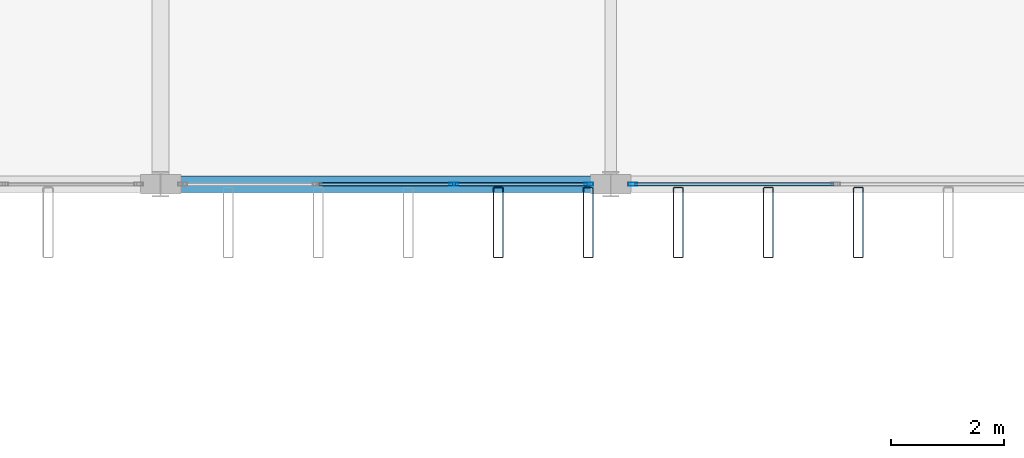
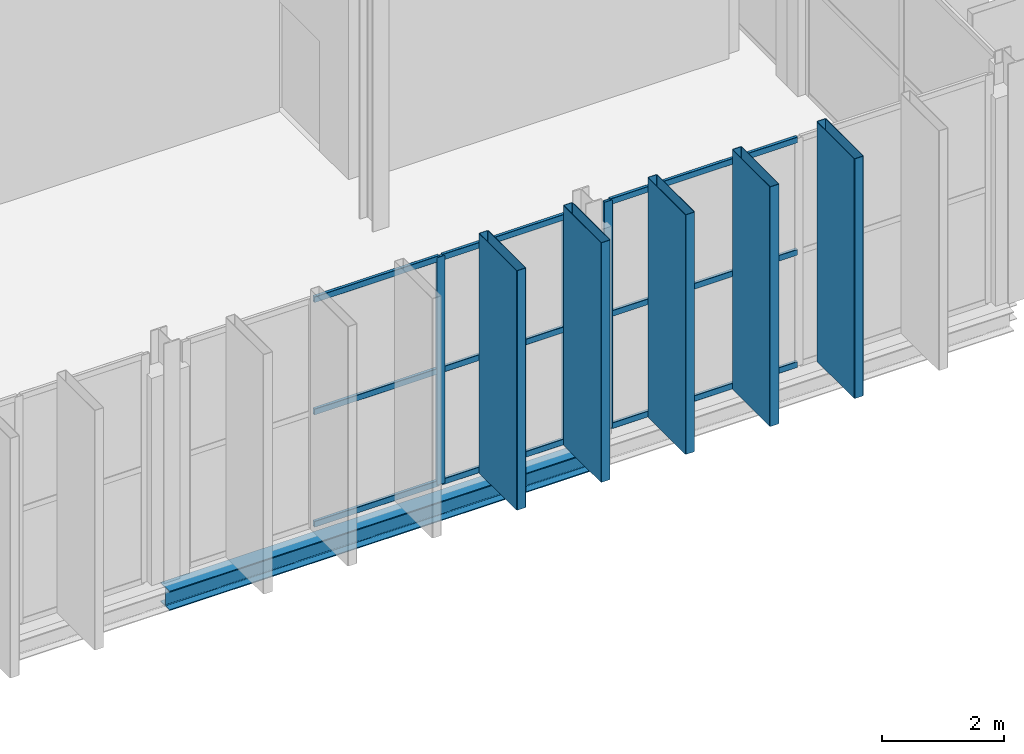
# One storey, part 29 of 120: 17 members, 1 beam, 2 elements without a shape of their own.
"""IFC4 building model written with IfcOpenShell, lengths in metres."""

from ifc_helpers import new_model, si_unit, direction, frame, origin, origin_2d, place, context, subcontext, project, spatial, hollow_rectangle, i_section, extrude, material, layer, layer_set, material_profile, profile_set, type_object, element, aggregate, save


model = new_model("IFC4")

# Units and contexts
model_context = context("Model", 3, precision=1e-05, world=origin(), true_north=direction((0.0, 1.0)))
body_context = subcontext(model_context, "Body", "Model", "MODEL_VIEW")
ifc_project = project(units=[si_unit("LENGTHUNIT", "METRE"), si_unit("AREAUNIT", "SQUARE_METRE"), si_unit("VOLUMEUNIT", "CUBIC_METRE"), si_unit("PLANEANGLEUNIT", "RADIAN"), si_unit("MASSUNIT", "GRAM", prefix="KILO")], contexts=[model_context])

# Site, building, storey
site_placement = place(None, origin())
site = spatial("IfcSite", under=ifc_project, at=site_placement, CompositionType="ELEMENT")
building_placement = place(site_placement, origin())
building = spatial("IfcBuilding", under=site, at=building_placement, Name="Vekula Escarpment Museum", CompositionType="ELEMENT")
storey_placement = place(building_placement, frame((0.0, 0.0, 13.199951171875)))
storey = spatial("IfcBuildingStorey", under=building, at=storey_placement, Name="L03", CompositionType="ELEMENT", Elevation=13.199951171875)

# Beam
ifc_material_1 = material(Name="Steel S355", Category="steel")
ifc_material_profile_1 = material_profile(ifc_material_1, i_section(OverallWidth=0.300048828125, OverallDepth=0.389892578125, WebThickness=0.010986328125, FlangeThickness=0.01904296875, FilletRadius=0.027099609375, at=origin_2d()), Name="HEA 400")
ifc_profile_set_1 = profile_set([ifc_material_profile_1], Name="Steel S355")
beam_type = type_object("IfcBeamType", Name="BM-SPAN-HEA400", PredefinedType="SPANDREL", material=ifc_profile_set_1)
beam_placement = place(storey_placement, frame((110.0, 45.60009765625, -0.445068359375), z_axis=(1.0, 0.0, 0.0), x_axis=(0.0, 1.0, 0.0)))
element("IfcBeam", 1, at=beam_placement, inside=storey, type_object=beam_type, Name="Beam X L03 1320", PredefinedType="SPANDREL", context=body_context, shape_type="SweptSolid", body=[
    extrude(i_section(OverallWidth=0.300048828125, OverallDepth=0.389892578125, WebThickness=0.010986328125, FlangeThickness=0.01904296875, FilletRadius=0.027099609375, at=origin_2d()), origin(), (0.0, 0.0, 1.0), 8.0),
])

# Curtain wall, members
ifc_material_2 = material(Name="Aluminium thermally broken framing", Category="aluminium")
ifc_layer_1 = layer(ifc_material_2, 0.139892578125)
ifc_layer_set_1 = layer_set([ifc_layer_1], Name="Aluminium thermally broken framing")
curtain_wall_type_1 = type_object("IfcCurtainWallType", Name="CW-SYS-06", PredefinedType="NOTDEFINED", material=ifc_layer_set_1)
curtain_wall_1_placement = place(storey_placement, origin())
curtain_wall_1 = element("IfcCurtainWall", 2, at=curtain_wall_1_placement, inside=storey, type_object=curtain_wall_type_1, Name="Curtain Wall CW-L03-106", PredefinedType="NOTDEFINED")
ifc_material_3 = material(Name="Aluminium anodized mullion", Category="aluminium")
ifc_material_profile_2 = material_profile(ifc_material_3, hollow_rectangle(XDim=0.06005859375, YDim=0.159912109375, WallThickness=0.00390625, InnerFilletRadius=0.00390625, OuterFilletRadius=0.008056640625, at=origin_2d()), Name="ALU 160x60x4")
ifc_profile_set_2 = profile_set([ifc_material_profile_2], Name="Aluminium anodized mullion")
member_type_1 = type_object("IfcMemberType", Name="CW-MUL-160", PredefinedType="MULLION", material=ifc_profile_set_2)
member_1_placement = place(storey_placement, frame((115.21337890625, 45.60009765625, 0.0), z_axis=(0.0, 0.0, 1.0), x_axis=(0.0, 1.0, 0.0)))
member_1 = element("IfcMember", 3, at=member_1_placement, type_object=member_type_1, Name="CW-06 mullion 3", PredefinedType="MULLION", context=body_context, shape_type="SweptSolid", body=[
    extrude(hollow_rectangle(XDim=0.06005859375, YDim=0.159912109375, WallThickness=0.00390625, InnerFilletRadius=0.00390625, OuterFilletRadius=0.008056640625, at=origin_2d()), origin(), (0.0, 0.0, 1.0), 4.56005859375),
])
member_2_placement = place(storey_placement, frame((117.610107421875, 45.60009765625, 0.0), z_axis=(0.0, 0.0, 1.0), x_axis=(0.0, 1.0, 0.0)))
member_2 = element("IfcMember", 4, at=member_2_placement, type_object=member_type_1, Name="CW-06 mullion 4", PredefinedType="MULLION", context=body_context, shape_type="SweptSolid", body=[
    extrude(hollow_rectangle(XDim=0.06005859375, YDim=0.159912109375, WallThickness=0.00390625, InnerFilletRadius=0.00390625, OuterFilletRadius=0.008056640625, at=origin_2d()), origin(), (0.0, 0.0, 1.0), 4.56005859375),
])

# Curtain wall, member
ifc_material_4 = material(Name="Aluminium thermally broken framing", Category="aluminium")
ifc_layer_2 = layer(ifc_material_4, 0.179931640625)
ifc_layer_set_2 = layer_set([ifc_layer_2], Name="Aluminium thermally broken framing")
curtain_wall_type_2 = type_object("IfcCurtainWallType", Name="CW-SYS-07", PredefinedType="NOTDEFINED", material=ifc_layer_set_2)
curtain_wall_2_placement = place(storey_placement, origin())
curtain_wall_2 = element("IfcCurtainWall", 5, at=curtain_wall_2_placement, inside=storey, type_object=curtain_wall_type_2, Name="Curtain Wall CW-L03-107", PredefinedType="NOTDEFINED")
member_3_placement = place(storey_placement, frame((118.389892578125, 45.60009765625, 0.0), z_axis=(0.0, 0.0, 1.0), x_axis=(0.0, 1.0, 0.0)))
member_3 = element("IfcMember", 6, at=member_3_placement, type_object=member_type_1, Name="CW-07 mullion 1", PredefinedType="MULLION", context=body_context, shape_type="SweptSolid", body=[
    extrude(hollow_rectangle(XDim=0.06005859375, YDim=0.159912109375, WallThickness=0.00390625, InnerFilletRadius=0.00390625, OuterFilletRadius=0.008056640625, at=origin_2d()), origin(), (0.0, 0.0, 1.0), 4.56005859375),
])

# Member
ifc_material_5 = material(Name="Aluminium anodized transom", Category="aluminium")
ifc_material_profile_3 = material_profile(ifc_material_5, hollow_rectangle(XDim=0.06005859375, YDim=0.1201171875, WallThickness=0.00390625, InnerFilletRadius=0.00390625, OuterFilletRadius=0.008056640625, at=origin_2d()), Name="ALU 120x60x4")
ifc_profile_set_3 = profile_set([ifc_material_profile_3], Name="Aluminium anodized transom")
member_type_2 = type_object("IfcMemberType", Name="CW-TRN-120", PredefinedType="USERDEFINED", material=ifc_profile_set_3)
member_4_placement = place(storey_placement, frame((112.816650390625, 45.60009765625, 0.030029296875), z_axis=(1.0, 0.0, 0.0), x_axis=(0.0, 1.0, 0.0)))
member_4 = element("IfcMember", 7, at=member_4_placement, type_object=member_type_2, Name="CW-06 transom 2.1", ObjectType="TRANSOM", PredefinedType="USERDEFINED", context=body_context, shape_type="SweptSolid", body=[
    extrude(hollow_rectangle(XDim=0.06005859375, YDim=0.1201171875, WallThickness=0.00390625, InnerFilletRadius=0.00390625, OuterFilletRadius=0.008056640625, at=origin_2d()), origin(), (0.0, 0.0, 1.0), 2.36669921875),
])

member_5_placement = place(storey_placement, frame((112.816650390625, 45.60009765625, 2.280029296875), z_axis=(1.0, 0.0, 0.0), x_axis=(0.0, 1.0, 0.0)))
member_5 = element("IfcMember", 8, at=member_5_placement, type_object=member_type_2, Name="CW-06 transom 2.2", ObjectType="TRANSOM", PredefinedType="USERDEFINED", context=body_context, shape_type="SweptSolid", body=[
    extrude(hollow_rectangle(XDim=0.06005859375, YDim=0.1201171875, WallThickness=0.00390625, InnerFilletRadius=0.00390625, OuterFilletRadius=0.008056640625, at=origin_2d()), origin(), (0.0, 0.0, 1.0), 2.36669921875),
])

member_6_placement = place(storey_placement, frame((112.816650390625, 45.60009765625, 4.530029296875), z_axis=(1.0, 0.0, 0.0), x_axis=(0.0, 1.0, 0.0)))
member_6 = element("IfcMember", 9, at=member_6_placement, type_object=member_type_2, Name="CW-06 transom 2.3", ObjectType="TRANSOM", PredefinedType="USERDEFINED", context=body_context, shape_type="SweptSolid", body=[
    extrude(hollow_rectangle(XDim=0.06005859375, YDim=0.1201171875, WallThickness=0.00390625, InnerFilletRadius=0.00390625, OuterFilletRadius=0.008056640625, at=origin_2d()), origin(), (0.0, 0.0, 1.0), 2.36669921875),
])

member_7_placement = place(storey_placement, frame((115.243408203125, 45.60009765625, 0.030029296875), z_axis=(1.0, 0.0, 0.0), x_axis=(0.0, 1.0, 0.0)))
member_7 = element("IfcMember", 10, at=member_7_placement, type_object=member_type_2, Name="CW-06 transom 3.1", ObjectType="TRANSOM", PredefinedType="USERDEFINED", context=body_context, shape_type="SweptSolid", body=[
    extrude(hollow_rectangle(XDim=0.06005859375, YDim=0.1201171875, WallThickness=0.00390625, InnerFilletRadius=0.00390625, OuterFilletRadius=0.008056640625, at=origin_2d()), origin(), (0.0, 0.0, 1.0), 2.336669921875),
])

member_8_placement = place(storey_placement, frame((115.243408203125, 45.60009765625, 2.280029296875), z_axis=(1.0, 0.0, 0.0), x_axis=(0.0, 1.0, 0.0)))
member_8 = element("IfcMember", 11, at=member_8_placement, type_object=member_type_2, Name="CW-06 transom 3.2", ObjectType="TRANSOM", PredefinedType="USERDEFINED", context=body_context, shape_type="SweptSolid", body=[
    extrude(hollow_rectangle(XDim=0.06005859375, YDim=0.1201171875, WallThickness=0.00390625, InnerFilletRadius=0.00390625, OuterFilletRadius=0.008056640625, at=origin_2d()), origin(), (0.0, 0.0, 1.0), 2.336669921875),
])

member_9_placement = place(storey_placement, frame((115.243408203125, 45.60009765625, 4.530029296875), z_axis=(1.0, 0.0, 0.0), x_axis=(0.0, 1.0, 0.0)))
member_9 = element("IfcMember", 12, at=member_9_placement, type_object=member_type_2, Name="CW-06 transom 3.3", ObjectType="TRANSOM", PredefinedType="USERDEFINED", context=body_context, shape_type="SweptSolid", body=[
    extrude(hollow_rectangle(XDim=0.06005859375, YDim=0.1201171875, WallThickness=0.00390625, InnerFilletRadius=0.00390625, OuterFilletRadius=0.008056640625, at=origin_2d()), origin(), (0.0, 0.0, 1.0), 2.336669921875),
])

aggregate(curtain_wall_1, [member_1, member_2, member_4, member_5, member_6, member_7, member_8, member_9])

member_10_placement = place(storey_placement, frame((118.419921875, 45.60009765625, 0.030029296875), z_axis=(1.0, 0.0, 0.0), x_axis=(0.0, 1.0, 0.0)))
member_10 = element("IfcMember", 13, at=member_10_placement, type_object=member_type_2, Name="CW-07 transom 1.1", ObjectType="TRANSOM", PredefinedType="USERDEFINED", context=body_context, shape_type="SweptSolid", body=[
    extrude(hollow_rectangle(XDim=0.06005859375, YDim=0.1201171875, WallThickness=0.00390625, InnerFilletRadius=0.00390625, OuterFilletRadius=0.008056640625, at=origin_2d()), origin(), (0.0, 0.0, 1.0), 3.550048828125),
])

member_11_placement = place(storey_placement, frame((118.419921875, 45.60009765625, 2.280029296875), z_axis=(1.0, 0.0, 0.0), x_axis=(0.0, 1.0, 0.0)))
member_11 = element("IfcMember", 14, at=member_11_placement, type_object=member_type_2, Name="CW-07 transom 1.2", ObjectType="TRANSOM", PredefinedType="USERDEFINED", context=body_context, shape_type="SweptSolid", body=[
    extrude(hollow_rectangle(XDim=0.06005859375, YDim=0.1201171875, WallThickness=0.00390625, InnerFilletRadius=0.00390625, OuterFilletRadius=0.008056640625, at=origin_2d()), origin(), (0.0, 0.0, 1.0), 3.550048828125),
])

member_12_placement = place(storey_placement, frame((118.419921875, 45.60009765625, 4.530029296875), z_axis=(1.0, 0.0, 0.0), x_axis=(0.0, 1.0, 0.0)))
member_12 = element("IfcMember", 15, at=member_12_placement, type_object=member_type_2, Name="CW-07 transom 1.3", ObjectType="TRANSOM", PredefinedType="USERDEFINED", context=body_context, shape_type="SweptSolid", body=[
    extrude(hollow_rectangle(XDim=0.06005859375, YDim=0.1201171875, WallThickness=0.00390625, InnerFilletRadius=0.00390625, OuterFilletRadius=0.008056640625, at=origin_2d()), origin(), (0.0, 0.0, 1.0), 3.550048828125),
])

aggregate(curtain_wall_2, [member_3, member_10, member_11, member_12])

# Members
ifc_material_6 = material(Name="Steel S355 weathered bronze solar fin", Category="steel")
ifc_material_profile_4 = material_profile(ifc_material_6, hollow_rectangle(XDim=0.179931640625, YDim=1.25, WallThickness=0.010009765625, InnerFilletRadius=0.010009765625, OuterFilletRadius=0.02001953125, at=origin_2d()), Name="RHS 1250x180x10")
ifc_profile_set_4 = profile_set([ifc_material_profile_4], Name="Steel S355 weathered bronze solar fin")
member_type_3 = type_object("IfcMemberType", Name="MB-SOLAR-FIN", PredefinedType="USERDEFINED", material=ifc_profile_set_4)
for number, where, z_axis, x_axis, name in (
    (16, (116.0, 44.919921875, 0.0), (0.0, 0.0, 1.0), (1.0, 0.0, 0.0), "Great Hall Vertical Solar Fin 0103"),
    (17, (117.60009765625, 44.919921875, 0.0), (0.0, 0.0, 1.0), (1.0, 0.0, 0.0), "Great Hall Vertical Solar Fin 0108"),
    (18, (119.199951171875, 44.919921875, 0.0), (0.0, 0.0, 1.0), (1.0, 0.0, 0.0), "Great Hall Vertical Solar Fin 0113"),
    (19, (120.800048828125, 44.919921875, 0.0), (0.0, 0.0, 1.0), (1.0, 0.0, 0.0), "Great Hall Vertical Solar Fin 0118"),
    (20, (122.39990234375, 44.919921875, 0.0), (0.0, 0.0, 1.0), (1.0, 0.0, 0.0), "Great Hall Vertical Solar Fin 0123"),
):
    element("IfcMember", number, at=place(storey_placement, frame(where, z_axis=z_axis, x_axis=x_axis)), inside=storey, type_object=member_type_3, Name=name, ObjectType="SOLAR FIN", PredefinedType="USERDEFINED", context=body_context, shape_type="SweptSolid", body=[
        extrude(hollow_rectangle(XDim=0.179931640625, YDim=1.25, WallThickness=0.010009765625, InnerFilletRadius=0.010009765625, OuterFilletRadius=0.02001953125, at=origin_2d()), origin(), (0.0, 0.0, 1.0), 4.800048828125),
    ])

save(model, "model.ifc")
